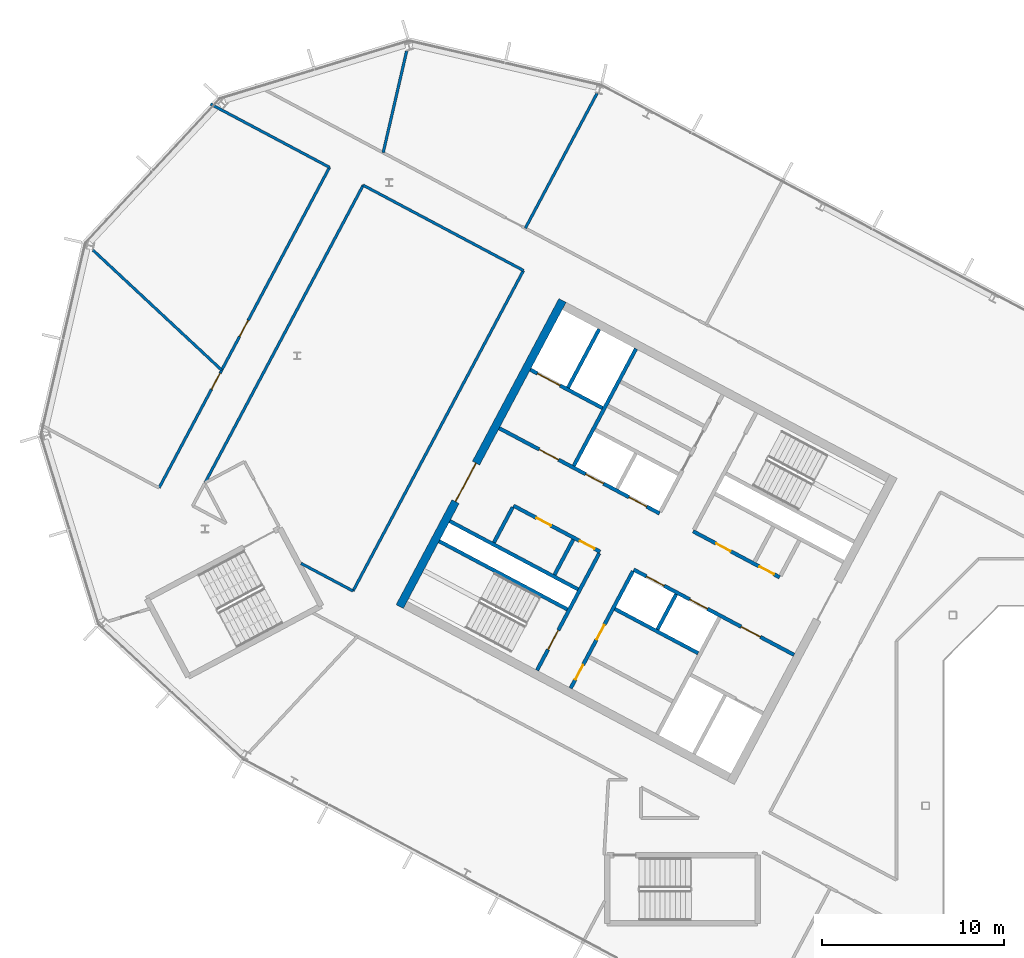
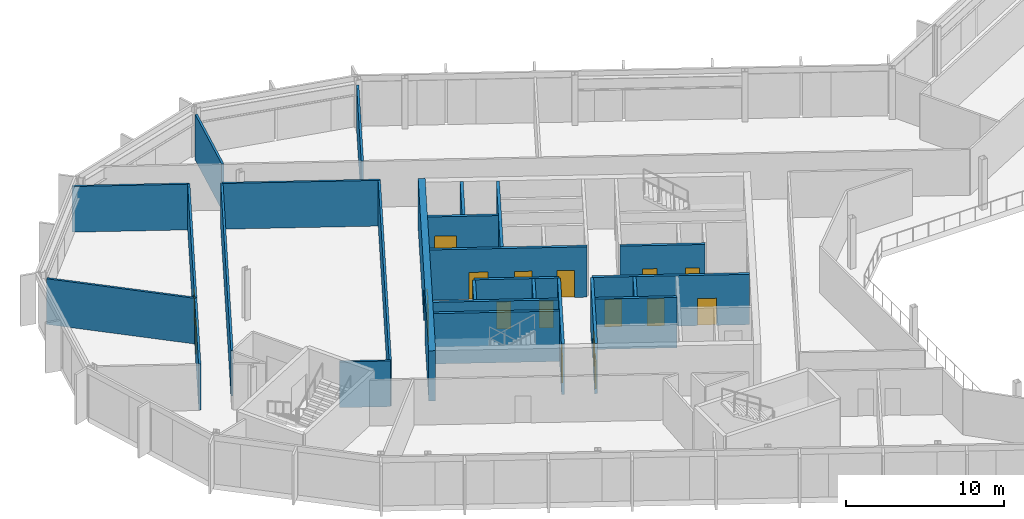
# One storey, part 14 of 26: 25 walls, 17 doors, 17 openings.
"""IFC4 building model written with IfcOpenShell, lengths in metres."""

import ifcopenshell
import ifcopenshell.guid

model = None  # the IFC model being written
_history = None  # IfcOwnerHistory: only IFC2X3 demands one
_inside = {}  # id of a spatial element -> (the spatial element, [elements in it])
_under = {}  # id of a project, library or spatial element -> (it, [spatial elements below it])
_declared = {}  # id of a project -> (the project, [libraries it declares])
_typed = {}  # id of a type object -> (the type object, [elements of that type])
_made_of = {}  # id of a material, layer set ... -> (it, [elements and type objects made of it])


def new_model(schema):
    """Start an empty IFC model of exactly this schema.

    Asked for "IFC4X3", IfcOpenShell would pick the latest addendum, in which some entities
    have other attributes; the version numbers below select the first issue.
    IFC2X3 requires an IfcOwnerHistory on every rooted entity: one is made here for all.
    """
    global model, _history
    if schema == "IFC4X3":
        model = ifcopenshell.file(schema_version=(4, 3, 0, 0))
    else:
        model = ifcopenshell.file(schema=schema)
    _inside.clear()
    _under.clear()
    _declared.clear()
    _typed.clear()
    _made_of.clear()
    _history = None
    if model.schema == "IFC2X3":
        org = make("IfcOrganization", Name="unknown")
        user = make(
            "IfcPersonAndOrganization",
            ThePerson=make("IfcPerson", FamilyName="unknown"),
            TheOrganization=org,
        )
        app = make(
            "IfcApplication",
            ApplicationDeveloper=org,
            Version="unknown",
            ApplicationFullName="unknown",
            ApplicationIdentifier="unknown",
        )
        _history = make(
            "IfcOwnerHistory",
            OwningUser=user,
            OwningApplication=app,
            ChangeAction="ADDED",
            CreationDate=0,
        )
    return model


def make(cls, **values):
    """One entity of the class cls with the attributes given. An attribute that is None is left unset."""
    return model.create_entity(
        cls, **{name: value for name, value in values.items() if value is not None}
    )


def rooted(cls, **values):
    """An entity with a GlobalId (a new one), such as an element, a storey or a relation."""
    return make(cls, GlobalId=ifcopenshell.guid.new(), OwnerHistory=_history, **values)


def si_unit(unit_type, name, prefix=None):
    """IfcSIUnit, for example si_unit("LENGTHUNIT", "METRE", prefix="MILLI")."""
    return make("IfcSIUnit", UnitType=unit_type, Prefix=prefix, Name=name)


def assignment(units):
    """IfcUnitAssignment: the units of a project."""
    return None if units is None else make("IfcUnitAssignment", Units=units)


def point(xyz):
    """IfcCartesianPoint."""
    return None if xyz is None else make("IfcCartesianPoint", Coordinates=xyz)


def direction(xyz):
    """IfcDirection."""
    return None if xyz is None else make("IfcDirection", DirectionRatios=xyz)


def frame(location, z_axis=None, x_axis=None):
    """IfcAxis2Placement3D, a coordinate frame: its origin and axes. An axis left out is left unset."""
    return make(
        "IfcAxis2Placement3D",
        Location=point(location),
        Axis=direction(z_axis),
        RefDirection=direction(x_axis),
    )


def frame_2d(location, x_axis=None):
    """IfcAxis2Placement2D, a coordinate frame in the plane: its origin and x axis."""
    return make(
        "IfcAxis2Placement2D", Location=point(location), RefDirection=direction(x_axis)
    )


def origin():
    """The frame at (0, 0, 0) with its axes left unset."""
    return frame((0.0, 0.0, 0.0))


def place(relative_to, where):
    """IfcLocalPlacement: puts the frame where relative to a parent placement (None: the world)."""
    return make(
        "IfcLocalPlacement", PlacementRelTo=relative_to, RelativePlacement=where
    )


def context(
    kind, dimensions, precision=None, world=None, true_north=None, identifier=None
):
    """IfcGeometricRepresentationContext, for example the 3D "Model" context."""
    return make(
        "IfcGeometricRepresentationContext",
        ContextIdentifier=identifier,
        ContextType=kind,
        CoordinateSpaceDimension=dimensions,
        Precision=precision,
        WorldCoordinateSystem=world,
        TrueNorth=true_north,
    )


def subcontext(parent, identifier, kind, view, scale=None):
    """IfcGeometricRepresentationSubContext, for example "Body" below "Model"."""
    return make(
        "IfcGeometricRepresentationSubContext",
        ContextIdentifier=identifier,
        ContextType=kind,
        ParentContext=parent,
        TargetScale=scale,
        TargetView=view,
    )


def project(units=None, contexts=None):
    """IfcProject with its units and contexts."""
    return rooted(
        "IfcProject",
        Name="project",
        RepresentationContexts=contexts,
        UnitsInContext=assignment(units),
    )


def spatial(cls, under=None, at=None, **own):
    """A site, building, storey or space (cls), placed at a placement, below another one or the project."""
    s = rooted(cls, ObjectPlacement=at, **own)
    if under is not None:
        _under.setdefault(under.id(), (under, []))[1].append(s)
    return s


def profile(cls, at=None, kind="AREA", **sizes):
    """A parametric profile (cls). Its sizes go by their IFC names, for example OverallWidth=200.0."""
    return make(cls, ProfileType=kind, Position=at, **sizes)


def rectangle(**sizes):
    """IfcRectangleProfileDef."""
    return profile("IfcRectangleProfileDef", **sizes)


def extrude(swept, where, along, depth):
    """IfcExtrudedAreaSolid: the profile swept, set in the frame where, extruded along a direction by depth."""
    return make(
        "IfcExtrudedAreaSolid",
        SweptArea=swept,
        Position=where,
        ExtrudedDirection=direction(along),
        Depth=depth,
    )


def shape(context_of_items, identifier, shape_type, items):
    """IfcShapeRepresentation: the items that make up one representation, for example the "Body"."""
    return make(
        "IfcShapeRepresentation",
        ContextOfItems=context_of_items,
        RepresentationIdentifier=identifier,
        RepresentationType=shape_type,
        Items=items,
    )


def material(Name=None, Category=None):
    """IfcMaterial."""
    return make("IfcMaterial", Name=Name, Category=Category)


def layer(
    of_material, thickness, ventilated=None, Name=None, Category=None, Priority=None
):
    """IfcMaterialLayer: one layer of a wall or slab, of a material (None: an air gap)."""
    return make(
        "IfcMaterialLayer",
        Material=of_material,
        LayerThickness=thickness,
        IsVentilated=ventilated,
        Name=Name,
        Category=Category,
        Priority=Priority,
    )


def layer_set(layers, Name=None):
    """IfcMaterialLayerSet."""
    return make("IfcMaterialLayerSet", MaterialLayers=layers, LayerSetName=Name)


def made_of(thing, what):
    """Note that an element or type object is made of a material, layer set ...; save() writes the relation."""
    if what is not None:
        _made_of.setdefault(what.id(), (what, []))[1].append(thing)
    return thing


def type_object(cls, material=None, **own):
    """A type object (cls), such as IfcWallType, which elements share."""
    return made_of(rooted(cls, **own), material)


def element(
    cls,
    number,
    at=None,
    inside=None,
    cuts=None,
    type_object=None,
    material=None,
    context=None,
    identifier="Body",
    shape_type=None,
    held_by="IfcProductDefinitionShape",
    body=None,
    shapes=None,
    **own,
):
    """One element of the class cls, such as IfcWall. Its Tag is "e" and its number.

    at: its placement. inside: the storey or other place that contains it. cuts: it is an
    opening in that element (IfcRelVoidsElement). A single representation is given by context,
    identifier, shape_type and body (its items); several are given by shapes. held_by: the class
    of the entity that holds the representations. save() writes the other relations.
    """
    e = rooted(cls, Tag="e%d" % number, ObjectPlacement=at, **own)
    if body is not None:
        shapes = [shape(context, identifier, shape_type, body)]
    if shapes is not None:
        e.Representation = make(held_by, Representations=shapes)
    if inside is not None:
        _inside.setdefault(inside.id(), (inside, []))[1].append(e)
    if cuts is not None:
        rooted(
            "IfcRelVoidsElement", RelatingBuildingElement=cuts, RelatedOpeningElement=e
        )
    if type_object is not None:
        _typed.setdefault(type_object.id(), (type_object, []))[1].append(e)
    return made_of(e, material)


def fill(opening, filler):
    """IfcRelFillsElement: the door or window that sits in an opening."""
    return rooted(
        "IfcRelFillsElement",
        RelatingOpeningElement=opening,
        RelatedBuildingElement=filler,
    )


def aggregate(whole, parts):
    """IfcRelAggregates: a whole, such as a stair, and the parts it consists of."""
    return rooted("IfcRelAggregates", RelatingObject=whole, RelatedObjects=parts)


def save(model, path):
    """Write the relations noted so far, then the file.

    IfcRelAggregates (storeys below a building ...), IfcRelContainedInSpatialStructure (elements
    in a storey), IfcRelDefinesByType, IfcRelAssociatesMaterial and IfcRelDeclares: one each for
    every whole, place, type object, material and project.
    """
    for whole, parts in _under.values():
        aggregate(whole, parts)
    for where, things in _inside.values():
        rooted(
            "IfcRelContainedInSpatialStructure",
            RelatedElements=things,
            RelatingStructure=where,
        )
    for kind, things in _typed.values():
        rooted("IfcRelDefinesByType", RelatedObjects=things, RelatingType=kind)
    for what, things in _made_of.values():
        rooted("IfcRelAssociatesMaterial", RelatedObjects=things, RelatingMaterial=what)
    for by, libraries in _declared.values():
        rooted("IfcRelDeclares", RelatingContext=by, RelatedDefinitions=libraries)
    model.write(path)


model = new_model("IFC4")

# Units and contexts
model_context = context("Model", 3, precision=1e-05, world=origin(), true_north=direction((0.0, 1.0)))
body_context = subcontext(model_context, "Body", "Model", "MODEL_VIEW")
ifc_project = project(units=[si_unit("LENGTHUNIT", "METRE"), si_unit("AREAUNIT", "SQUARE_METRE"), si_unit("VOLUMEUNIT", "CUBIC_METRE"), si_unit("PLANEANGLEUNIT", "RADIAN"), si_unit("MASSUNIT", "GRAM", prefix="KILO")], contexts=[model_context])

# Site, building, storey
site_placement = place(None, origin())
site = spatial("IfcSite", under=ifc_project, at=site_placement, CompositionType="ELEMENT")
building_placement = place(site_placement, origin())
building = spatial("IfcBuilding", under=site, at=building_placement, Name="Cormorant Relay Tower", CompositionType="ELEMENT")
storey_placement = place(building_placement, frame((0.0, 0.0, 320.39990234375)))
storey = spatial("IfcBuildingStorey", under=building, at=storey_placement, Name="L73", CompositionType="ELEMENT", Elevation=320.39990234375)

# Walls
ifc_material_1 = material(Name="Concrete 40 MPa", Category="concrete")
ifc_layer_1 = layer(ifc_material_1, 0.199951171875)
ifc_layer_set_1 = layer_set([ifc_layer_1], Name="Core internal wall 200")
wall_type_1 = type_object("IfcWallType", Name="Core internal wall 200", PredefinedType="SOLIDWALL", material=ifc_layer_set_1)
wall_1_placement = place(storey_placement, frame((-25.744140625, 11.64990234375, 0.0), z_axis=(0.0, 0.0, 1.0), x_axis=(-0.469487830541, -0.882938942948, 0.0)))
element("IfcWall", 1, at=wall_1_placement, inside=storey, type_object=wall_type_1, Name="L73 core A shaft and room wall", PredefinedType="SOLIDWALL", context=body_context, shape_type="SweptSolid", body=[
    extrude(rectangle(XDim=2.2001953125, YDim=0.199951171875, at=frame_2d((1.10009765625, 0.0))), origin(), (0.0, 0.0, 1.0), 3.900146484375),
])
wall_2_placement = place(storey_placement, frame((-31.41259765625, 14.663818359375, 0.0), z_axis=(0.0, 0.0, 1.0), x_axis=(-0.469533832133, -0.882914480843, 0.0)))
element("IfcWall", 2, at=wall_2_placement, inside=storey, type_object=wall_type_1, Name="L73 core A shaft and room wall", PredefinedType="SOLIDWALL", context=body_context, shape_type="SweptSolid", body=[
    extrude(rectangle(XDim=2.199951171875, YDim=0.199951171875, at=frame_2d((1.10009765625, 0.0))), origin(), (0.0, 0.0, 1.0), 3.900146484375),
])

# Wall, openings, doors
ifc_material_2 = material(Name="Concrete 50 MPa", Category="concrete")
ifc_layer_2 = layer(ifc_material_2, 0.199951171875)
ifc_layer_set_2 = layer_set([ifc_layer_2], Name="Core shaft wall 200")
wall_type_2 = type_object("IfcWallType", Name="Core shaft wall 200", PredefinedType="SHEAR", material=ifc_layer_set_2)
wall_3_placement = place(storey_placement, frame((-28.128173828125, 12.91748046875, 0.0), z_axis=(0.0, 0.0, 1.0), x_axis=(-0.469454336211, -0.882956752176, 0.0)))
wall_3 = element("IfcWall", 3, at=wall_3_placement, inside=storey, type_object=wall_type_2, Name="L73 core A shaft wall", PredefinedType="SHEAR", context=body_context, shape_type="SweptSolid", body=[
    extrude(rectangle(XDim=7.300048828125, YDim=0.199951171875, at=frame_2d((3.64990234375, 0.0))), origin(), (0.0, 0.0, 1.0), 3.900146484375),
])
opening_1_placement = place(wall_3_placement, frame((3.35009765625, 0.0, 0.0)))
opening_1 = element("IfcOpeningElement", 4, at=opening_1_placement, cuts=wall_3, Name="Opening CDD-350", PredefinedType="OPENING", context=body_context, shape_type="SweptSolid", body=[
    extrude(rectangle(XDim=0.89990234375, YDim=2.10009765625, at=frame_2d((0.449951171875, 1.050048828125))), frame((0.0, 0.10986328125, 0.0), z_axis=(0.0, -1.0, 0.0), x_axis=(1.0, 0.0, 0.0)), (0.0, 0.0, 1.0), 0.219970703125),
])
opening_2_placement = place(wall_3_placement, frame((5.85009765625, 0.0, 0.0)))
opening_2 = element("IfcOpeningElement", 5, at=opening_2_placement, cuts=wall_3, Name="Opening CDD-351", PredefinedType="OPENING", context=body_context, shape_type="SweptSolid", body=[
    extrude(rectangle(XDim=0.89990234375, YDim=2.10009765625, at=frame_2d((0.449951171875, 1.050048828125))), frame((0.0, 0.10986328125, 0.0), z_axis=(0.0, -1.0, 0.0), x_axis=(1.0, 0.0, 0.0)), (0.0, 0.0, 1.0), 0.219970703125),
])
ifc_material_3 = material(Name="Steel fire door", Category="steel")
door_type_1 = type_object("IfcDoorType", Name="Core room door 900x2100", OperationType="SINGLE_SWING_LEFT", PredefinedType="DOOR", material=ifc_material_3)
door_1_placement = place(opening_1_placement, origin())
door_1 = element("IfcDoor", 6, at=door_1_placement, inside=storey, type_object=door_type_1, Name="Core room door 900x2100", OperationType="SINGLE_SWING_LEFT", OverallHeight=2.10009765625, OverallWidth=0.89990234375, PredefinedType="DOOR", context=body_context, shape_type="SweptSolid", body=[
    extrude(rectangle(XDim=0.89990234375, YDim=2.10009765625, at=frame_2d((0.449951171875, 1.050048828125))), frame((0.0, 0.02490234375, 0.0), z_axis=(0.0, -1.0, 0.0), x_axis=(1.0, 0.0, 0.0)), (0.0, 0.0, 1.0), 0.050048828125),
])
fill(opening_1, door_1)
door_2_placement = place(opening_2_placement, origin())
door_2 = element("IfcDoor", 7, at=door_2_placement, inside=storey, type_object=door_type_1, Name="Core room door 900x2100", OperationType="SINGLE_SWING_LEFT", OverallHeight=2.10009765625, OverallWidth=0.89990234375, PredefinedType="DOOR", context=body_context, shape_type="SweptSolid", body=[
    extrude(rectangle(XDim=0.89990234375, YDim=2.10009765625, at=frame_2d((0.449951171875, 1.050048828125))), frame((0.0, 0.02490234375, 0.0), z_axis=(0.0, -1.0, 0.0), x_axis=(1.0, 0.0, 0.0)), (0.0, 0.0, 1.0), 0.050048828125),
])
fill(opening_2, door_2)

# Wall, opening, door
wall_4_placement = place(storey_placement, frame((-29.982421875, 13.9033203125, 0.0), z_axis=(0.0, 0.0, 1.0), x_axis=(-0.469454336211, -0.882956752176, 0.0)))
wall_4 = element("IfcWall", 8, at=wall_4_placement, inside=storey, type_object=wall_type_2, Name="L73 core A shaft wall", PredefinedType="SHEAR", context=body_context, shape_type="SweptSolid", body=[
    extrude(rectangle(XDim=7.300048828125, YDim=0.199951171875, at=frame_2d((3.64990234375, 0.0))), origin(), (0.0, 0.0, 1.0), 3.900146484375),
])
opening_3_placement = place(wall_4_placement, frame((4.800048828125, 0.0, 0.0)))
opening_3 = element("IfcOpeningElement", 9, at=opening_3_placement, cuts=wall_4, Name="Opening CDB-039", PredefinedType="OPENING", context=body_context, shape_type="SweptSolid", body=[
    extrude(rectangle(XDim=1.199951171875, YDim=2.10009765625, at=frame_2d((0.60009765625, 1.050048828125))), frame((0.0, 0.10986328125, 0.0), z_axis=(0.0, -1.0, 0.0), x_axis=(1.0, 0.0, 0.0)), (0.0, 0.0, 1.0), 0.219970703125),
])
ifc_material_4 = material(Name="Steel fire door", Category="steel")
door_type_2 = type_object("IfcDoorType", Name="Core stair door 1200x2100", OperationType="SINGLE_SWING_LEFT", PredefinedType="DOOR", material=ifc_material_4)
door_3_placement = place(opening_3_placement, frame((1.199951171875, 0.0, 0.0), z_axis=(0.0, 0.0, 1.0), x_axis=(-1.0, 0.0, 0.0)))
door_3 = element("IfcDoor", 10, at=door_3_placement, inside=storey, type_object=door_type_2, Name="Core stair door 1200x2100", OperationType="SINGLE_SWING_RIGHT", OverallHeight=2.10009765625, OverallWidth=1.199951171875, PredefinedType="DOOR", context=body_context, shape_type="SweptSolid", body=[
    extrude(rectangle(XDim=1.199951171875, YDim=2.10009765625, at=frame_2d((0.60009765625, 1.050048828125))), frame((0.0, 0.02490234375, 0.0), z_axis=(0.0, -1.0, 0.0), x_axis=(1.0, 0.0, 0.0)), (0.0, 0.0, 1.0), 0.050048828125),
])
fill(opening_3, door_3)

# Walls
wall_5_placement = place(storey_placement, frame((-27.955322265625, 25.170654296875, 0.0), z_axis=(0.0, 0.0, 1.0), x_axis=(-0.469480409012, -0.88294288918, 0.0)))
element("IfcWall", 11, at=wall_5_placement, inside=storey, type_object=wall_type_2, Name="L73 core A shaft wall", PredefinedType="SHEAR", context=body_context, shape_type="SweptSolid", body=[
    extrude(rectangle(XDim=7.300048828125, YDim=0.199951171875, at=frame_2d((3.64990234375, 0.0))), origin(), (0.0, 0.0, 1.0), 3.900146484375),
])
wall_6_placement = place(storey_placement, frame((-34.750244140625, 16.4384765625, 0.0), z_axis=(0.0, 0.0, 1.0), x_axis=(-0.469401318492, -0.882984938828, 0.0)))
element("IfcWall", 12, at=wall_6_placement, inside=storey, type_object=wall_type_2, Name="L73 core A shaft wall", PredefinedType="SHEAR", context=body_context, shape_type="SweptSolid", body=[
    extrude(rectangle(XDim=2.199951171875, YDim=0.199951171875, at=frame_2d((1.10009765625, 0.0))), origin(), (0.0, 0.0, 1.0), 3.900146484375),
])
wall_7_placement = place(storey_placement, frame((-29.986083984375, 26.250244140625, 0.0), z_axis=(0.0, 0.0, 1.0), x_axis=(-0.469494272526, -0.882935517501, 0.0)))
element("IfcWall", 13, at=wall_7_placement, inside=storey, type_object=wall_type_2, Name="L73 core A shaft wall", PredefinedType="SHEAR", context=body_context, shape_type="SweptSolid", body=[
    extrude(rectangle(XDim=3.64990234375, YDim=0.199951171875, at=frame_2d((1.824951171875, 0.0))), origin(), (0.0, 0.0, 1.0), 3.900146484375),
])

# Wall, opening, door
wall_8_placement = place(storey_placement, frame((-29.80419921875, 21.906494140625, 0.0), z_axis=(0.0, 0.0, 1.0), x_axis=(-0.882960433586, 0.469447412093, 0.0)))
wall_8 = element("IfcWall", 14, at=wall_8_placement, inside=storey, type_object=wall_type_2, Name="L73 core A shaft wall", PredefinedType="SHEAR", context=body_context, shape_type="SweptSolid", body=[
    extrude(rectangle(XDim=4.5, YDim=0.199951171875, at=frame_2d((2.25, 0.0))), origin(), (0.0, 0.0, 1.0), 3.900146484375),
])
opening_4_placement = place(wall_8_placement, frame((2.64990234375, 0.0, 0.0)))
opening_4 = element("IfcOpeningElement", 15, at=opening_4_placement, cuts=wall_8, Name="Opening LD3-015", PredefinedType="OPENING", context=body_context, shape_type="SweptSolid", body=[
    extrude(rectangle(XDim=1.39990234375, YDim=2.39990234375, at=frame_2d((0.699951171875, 1.199951171875))), frame((0.0, 0.10986328125, 0.0), z_axis=(0.0, -1.0, 0.0), x_axis=(1.0, 0.0, 0.0)), (0.0, 0.0, 1.0), 0.219970703125),
])
ifc_material_5 = material(Name="Stainless steel 316", Category="steel")
door_type_3 = type_object("IfcDoorType", Name="Lift landing door 1400x2400", OperationType="DOUBLE_DOOR_SLIDING", PredefinedType="DOOR", material=ifc_material_5)
door_4_placement = place(opening_4_placement, origin())
door_4 = element("IfcDoor", 16, at=door_4_placement, inside=storey, type_object=door_type_3, Name="SV1 landing door", OperationType="DOUBLE_DOOR_SLIDING", OverallHeight=2.39990234375, OverallWidth=1.39990234375, PredefinedType="DOOR", context=body_context, shape_type="SweptSolid", body=[
    extrude(rectangle(XDim=1.39990234375, YDim=2.39990234375, at=frame_2d((0.699951171875, 1.199951171875))), frame((0.0, 0.02490234375, 0.0), z_axis=(0.0, -1.0, 0.0), x_axis=(1.0, 0.0, 0.0)), (0.0, 0.0, 1.0), 0.050048828125),
])
fill(opening_4, door_4)

# Wall, openings, doors
wall_9_placement = place(storey_placement, frame((-20.03955078125, 12.58056640625, 0.0), z_axis=(0.0, 0.0, 1.0), x_axis=(-0.882942972946, 0.469480251476, 0.0)))
wall_9 = element("IfcWall", 17, at=wall_9_placement, inside=storey, type_object=wall_type_2, Name="L73 core A shaft wall", PredefinedType="SHEAR", context=body_context, shape_type="SweptSolid", body=[
    extrude(rectangle(XDim=5.39990234375, YDim=0.199951171875, at=frame_2d((2.699951171875, 0.0))), origin(), (0.0, 0.0, 1.0), 3.900146484375),
])
opening_5_placement = place(wall_9_placement, frame((0.360107421875, 0.0, 0.0)))
opening_5 = element("IfcOpeningElement", 18, at=opening_5_placement, cuts=wall_9, Name="Opening CDD-337", PredefinedType="OPENING", context=body_context, shape_type="SweptSolid", body=[
    extrude(rectangle(XDim=0.89990234375, YDim=2.10009765625, at=frame_2d((0.449951171875, 1.050048828125))), frame((0.0, 0.10986328125, 0.0), z_axis=(0.0, -1.0, 0.0), x_axis=(1.0, 0.0, 0.0)), (0.0, 0.0, 1.0), 0.219970703125),
])
opening_6_placement = place(wall_9_placement, frame((3.06005859375, 0.0, 0.0)))
opening_6 = element("IfcOpeningElement", 19, at=opening_6_placement, cuts=wall_9, Name="Opening CDD-323", PredefinedType="OPENING", context=body_context, shape_type="SweptSolid", body=[
    extrude(rectangle(XDim=0.89990234375, YDim=2.10009765625, at=frame_2d((0.449951171875, 1.050048828125))), frame((0.0, 0.10986328125, 0.0), z_axis=(0.0, -1.0, 0.0), x_axis=(1.0, 0.0, 0.0)), (0.0, 0.0, 1.0), 0.219970703125),
])
door_5_placement = place(opening_5_placement, frame((0.89990234375, 0.0, 0.0), z_axis=(0.0, 0.0, 1.0), x_axis=(-1.0, 0.0, 0.0)))
door_5 = element("IfcDoor", 20, at=door_5_placement, inside=storey, type_object=door_type_1, Name="Core room door 900x2100", OperationType="SINGLE_SWING_RIGHT", OverallHeight=2.10009765625, OverallWidth=0.89990234375, PredefinedType="DOOR", context=body_context, shape_type="SweptSolid", body=[
    extrude(rectangle(XDim=0.89990234375, YDim=2.10009765625, at=frame_2d((0.449951171875, 1.050048828125))), frame((0.0, 0.02490234375, 0.0), z_axis=(0.0, -1.0, 0.0), x_axis=(1.0, 0.0, 0.0)), (0.0, 0.0, 1.0), 0.050048828125),
])
fill(opening_5, door_5)
door_6_placement = place(opening_6_placement, origin())
door_6 = element("IfcDoor", 21, at=door_6_placement, inside=storey, type_object=door_type_1, Name="Core room door 900x2100", OperationType="SINGLE_SWING_LEFT", OverallHeight=2.10009765625, OverallWidth=0.89990234375, PredefinedType="DOOR", context=body_context, shape_type="SweptSolid", body=[
    extrude(rectangle(XDim=0.89990234375, YDim=2.10009765625, at=frame_2d((0.449951171875, 1.050048828125))), frame((0.0, 0.02490234375, 0.0), z_axis=(0.0, -1.0, 0.0), x_axis=(1.0, 0.0, 0.0)), (0.0, 0.0, 1.0), 0.050048828125),
])
fill(opening_6, door_6)

wall_10_placement = place(storey_placement, frame((-26.66162109375, 16.1015625, 0.0), z_axis=(0.0, 0.0, 1.0), x_axis=(-0.882940221191, 0.469485426614, 0.0)))
wall_10 = element("IfcWall", 22, at=wall_10_placement, inside=storey, type_object=wall_type_2, Name="L73 core A shaft wall", PredefinedType="SHEAR", context=body_context, shape_type="SweptSolid", body=[
    extrude(rectangle(XDim=10.0, YDim=0.199951171875, at=frame_2d((5.0, 0.0))), origin(), (0.0, 0.0, 1.0), 3.900146484375),
])
opening_7_placement = place(wall_10_placement, frame((6.300048828125, 0.0, 0.0)))
opening_7 = element("IfcOpeningElement", 23, at=opening_7_placement, cuts=wall_10, Name="Opening CDC-034", PredefinedType="OPENING", context=body_context, shape_type="SweptSolid", body=[
    extrude(rectangle(XDim=1.199951171875, YDim=2.10009765625, at=frame_2d((0.60009765625, 1.050048828125))), frame((0.0, 0.10986328125, 0.0), z_axis=(0.0, -1.0, 0.0), x_axis=(1.0, 0.0, 0.0)), (0.0, 0.0, 1.0), 0.219970703125),
])
opening_8_placement = place(wall_10_placement, frame((0.800048828125, 0.0, 0.0)))
opening_8 = element("IfcOpeningElement", 24, at=opening_8_placement, cuts=wall_10, Name="Opening LD1-067", PredefinedType="OPENING", context=body_context, shape_type="SweptSolid", body=[
    extrude(rectangle(XDim=1.10009765625, YDim=2.10009765625, at=frame_2d((0.550048828125, 1.050048828125))), frame((0.0, 0.10986328125, 0.0), z_axis=(0.0, -1.0, 0.0), x_axis=(1.0, 0.0, 0.0)), (0.0, 0.0, 1.0), 0.219970703125),
])
opening_9_placement = place(wall_10_placement, frame((3.5, 0.0, 0.0)))
opening_9 = element("IfcOpeningElement", 25, at=opening_9_placement, cuts=wall_10, Name="Opening LD1-068", PredefinedType="OPENING", context=body_context, shape_type="SweptSolid", body=[
    extrude(rectangle(XDim=1.10009765625, YDim=2.10009765625, at=frame_2d((0.550048828125, 1.050048828125))), frame((0.0, 0.10986328125, 0.0), z_axis=(0.0, -1.0, 0.0), x_axis=(1.0, 0.0, 0.0)), (0.0, 0.0, 1.0), 0.219970703125),
])
ifc_material_6 = material(Name="Steel fire door", Category="steel")
door_type_4 = type_object("IfcDoorType", Name="Core lobby door 1200x2100", OperationType="SINGLE_SWING_LEFT", PredefinedType="DOOR", material=ifc_material_6)
door_7_placement = place(opening_7_placement, origin())
door_7 = element("IfcDoor", 26, at=door_7_placement, inside=storey, type_object=door_type_4, Name="Core lobby door 1200x2100", OperationType="SINGLE_SWING_LEFT", OverallHeight=2.10009765625, OverallWidth=1.199951171875, PredefinedType="DOOR", context=body_context, shape_type="SweptSolid", body=[
    extrude(rectangle(XDim=1.199951171875, YDim=2.10009765625, at=frame_2d((0.60009765625, 1.050048828125))), frame((0.0, 0.02490234375, 0.0), z_axis=(0.0, -1.0, 0.0), x_axis=(1.0, 0.0, 0.0)), (0.0, 0.0, 1.0), 0.050048828125),
])
fill(opening_7, door_7)
ifc_material_7 = material(Name="Stainless steel 316", Category="steel")
door_type_5 = type_object("IfcDoorType", Name="Lift landing door 1100x2100", OperationType="DOUBLE_DOOR_SLIDING", PredefinedType="DOOR", material=ifc_material_7)
door_8_placement = place(opening_8_placement, origin())
door_8 = element("IfcDoor", 27, at=door_8_placement, inside=storey, type_object=door_type_5, Name="HR3 landing door", OperationType="DOUBLE_DOOR_SLIDING", OverallHeight=2.10009765625, OverallWidth=1.10009765625, PredefinedType="DOOR", context=body_context, shape_type="SweptSolid", body=[
    extrude(rectangle(XDim=1.10009765625, YDim=2.10009765625, at=frame_2d((0.550048828125, 1.050048828125))), frame((0.0, 0.02490234375, 0.0), z_axis=(0.0, -1.0, 0.0), x_axis=(1.0, 0.0, 0.0)), (0.0, 0.0, 1.0), 0.050048828125),
])
fill(opening_8, door_8)
door_9_placement = place(opening_9_placement, origin())
door_9 = element("IfcDoor", 28, at=door_9_placement, inside=storey, type_object=door_type_5, Name="HR4 landing door", OperationType="DOUBLE_DOOR_SLIDING", OverallHeight=2.10009765625, OverallWidth=1.10009765625, PredefinedType="DOOR", context=body_context, shape_type="SweptSolid", body=[
    extrude(rectangle(XDim=1.10009765625, YDim=2.10009765625, at=frame_2d((0.550048828125, 1.050048828125))), frame((0.0, 0.02490234375, 0.0), z_axis=(0.0, -1.0, 0.0), x_axis=(1.0, 0.0, 0.0)), (0.0, 0.0, 1.0), 0.050048828125),
])
fill(opening_9, door_9)

wall_11_placement = place(storey_placement, frame((-19.251708984375, 8.31103515625, 0.0), z_axis=(0.0, 0.0, 1.0), x_axis=(-0.882955722218, 0.469456273365, 0.0)))
wall_11 = element("IfcWall", 29, at=wall_11_placement, inside=storey, type_object=wall_type_2, Name="L73 core A shaft wall", PredefinedType="SHEAR", context=body_context, shape_type="SweptSolid", body=[
    extrude(rectangle(XDim=10.0, YDim=0.199951171875, at=frame_2d((5.0, 0.0))), origin(), (0.0, 0.0, 1.0), 3.900146484375),
])
opening_10_placement = place(wall_11_placement, frame((2.10009765625, 0.0, 0.0)))
opening_10 = element("IfcOpeningElement", 30, at=opening_10_placement, cuts=wall_11, Name="Opening CDC-033", PredefinedType="OPENING", context=body_context, shape_type="SweptSolid", body=[
    extrude(rectangle(XDim=1.199951171875, YDim=2.10009765625, at=frame_2d((0.60009765625, 1.050048828125))), frame((0.0, 0.10986328125, 0.0), z_axis=(0.0, -1.0, 0.0), x_axis=(1.0, 0.0, 0.0)), (0.0, 0.0, 1.0), 0.219970703125),
])
opening_11_placement = place(wall_11_placement, frame((5.39990234375, 0.0, 0.0)))
opening_11 = element("IfcOpeningElement", 31, at=opening_11_placement, cuts=wall_11, Name="Opening LD1-065", PredefinedType="OPENING", context=body_context, shape_type="SweptSolid", body=[
    extrude(rectangle(XDim=1.10009765625, YDim=2.10009765625, at=frame_2d((0.550048828125, 1.050048828125))), frame((0.0, 0.10986328125, 0.0), z_axis=(0.0, -1.0, 0.0), x_axis=(1.0, 0.0, 0.0)), (0.0, 0.0, 1.0), 0.219970703125),
])
opening_12_placement = place(wall_11_placement, frame((8.10009765625, 0.0, 0.0)))
opening_12 = element("IfcOpeningElement", 32, at=opening_12_placement, cuts=wall_11, Name="Opening LD1-066", PredefinedType="OPENING", context=body_context, shape_type="SweptSolid", body=[
    extrude(rectangle(XDim=1.10009765625, YDim=2.10009765625, at=frame_2d((0.550048828125, 1.050048828125))), frame((0.0, 0.10986328125, 0.0), z_axis=(0.0, -1.0, 0.0), x_axis=(1.0, 0.0, 0.0)), (0.0, 0.0, 1.0), 0.219970703125),
])
door_10_placement = place(opening_10_placement, origin())
door_10 = element("IfcDoor", 33, at=door_10_placement, inside=storey, type_object=door_type_4, Name="Core lobby door 1200x2100", OperationType="SINGLE_SWING_RIGHT", OverallHeight=2.10009765625, OverallWidth=1.199951171875, PredefinedType="DOOR", context=body_context, shape_type="SweptSolid", body=[
    extrude(rectangle(XDim=1.199951171875, YDim=2.10009765625, at=frame_2d((0.60009765625, 1.050048828125))), frame((0.0, 0.02490234375, 0.0), z_axis=(0.0, -1.0, 0.0), x_axis=(1.0, 0.0, 0.0)), (0.0, 0.0, 1.0), 0.050048828125),
])
fill(opening_10, door_10)
door_11_placement = place(opening_11_placement, origin())
door_11 = element("IfcDoor", 34, at=door_11_placement, inside=storey, type_object=door_type_5, Name="HR1 landing door", OperationType="DOUBLE_DOOR_SLIDING", OverallHeight=2.10009765625, OverallWidth=1.10009765625, PredefinedType="DOOR", context=body_context, shape_type="SweptSolid", body=[
    extrude(rectangle(XDim=1.10009765625, YDim=2.10009765625, at=frame_2d((0.550048828125, 1.050048828125))), frame((0.0, 0.02490234375, 0.0), z_axis=(0.0, -1.0, 0.0), x_axis=(1.0, 0.0, 0.0)), (0.0, 0.0, 1.0), 0.050048828125),
])
fill(opening_11, door_11)
door_12_placement = place(opening_12_placement, origin())
door_12 = element("IfcDoor", 35, at=door_12_placement, inside=storey, type_object=door_type_5, Name="HR2 landing door", OperationType="DOUBLE_DOOR_SLIDING", OverallHeight=2.10009765625, OverallWidth=1.10009765625, PredefinedType="DOOR", context=body_context, shape_type="SweptSolid", body=[
    extrude(rectangle(XDim=1.10009765625, YDim=2.10009765625, at=frame_2d((0.550048828125, 1.050048828125))), frame((0.0, 0.02490234375, 0.0), z_axis=(0.0, -1.0, 0.0), x_axis=(1.0, 0.0, 0.0)), (0.0, 0.0, 1.0), 0.050048828125),
])
fill(opening_12, door_12)

wall_12_placement = place(storey_placement, frame((-29.935302734375, 13.991455078125, 0.0), z_axis=(0.0, 0.0, 1.0), x_axis=(-0.882952937579, 0.469461510692, 0.0)))
wall_12 = element("IfcWall", 36, at=wall_12_placement, inside=storey, type_object=wall_type_2, Name="L73 core A shaft wall", PredefinedType="SHEAR", context=body_context, shape_type="SweptSolid", body=[
    extrude(rectangle(XDim=5.400146484375, YDim=0.199951171875, at=frame_2d((2.7001953125, 0.0))), origin(), (0.0, 0.0, 1.0), 3.900146484375),
])
opening_13_placement = place(wall_12_placement, frame((0.360107421875, 0.0, 0.0)))
opening_13 = element("IfcOpeningElement", 37, at=opening_13_placement, cuts=wall_12, Name="Opening CDD-320", PredefinedType="OPENING", context=body_context, shape_type="SweptSolid", body=[
    extrude(rectangle(XDim=0.89990234375, YDim=2.10009765625, at=frame_2d((0.449951171875, 1.050048828125))), frame((0.0, 0.10986328125, 0.0), z_axis=(0.0, -1.0, 0.0), x_axis=(1.0, 0.0, 0.0)), (0.0, 0.0, 1.0), 0.219970703125),
])
opening_14_placement = place(wall_12_placement, frame((3.06005859375, 0.0, 0.0)))
opening_14 = element("IfcOpeningElement", 38, at=opening_14_placement, cuts=wall_12, Name="Opening CDD-321", PredefinedType="OPENING", context=body_context, shape_type="SweptSolid", body=[
    extrude(rectangle(XDim=0.89990234375, YDim=2.10009765625, at=frame_2d((0.449951171875, 1.050048828125))), frame((0.0, 0.10986328125, 0.0), z_axis=(0.0, -1.0, 0.0), x_axis=(1.0, 0.0, 0.0)), (0.0, 0.0, 1.0), 0.219970703125),
])
door_13_placement = place(opening_13_placement, origin())
door_13 = element("IfcDoor", 39, at=door_13_placement, inside=storey, type_object=door_type_1, Name="Core room door 900x2100", OperationType="SINGLE_SWING_LEFT", OverallHeight=2.10009765625, OverallWidth=0.89990234375, PredefinedType="DOOR", context=body_context, shape_type="SweptSolid", body=[
    extrude(rectangle(XDim=0.89990234375, YDim=2.10009765625, at=frame_2d((0.449951171875, 1.050048828125))), frame((0.0, 0.02490234375, 0.0), z_axis=(0.0, -1.0, 0.0), x_axis=(1.0, 0.0, 0.0)), (0.0, 0.0, 1.0), 0.050048828125),
])
fill(opening_13, door_13)
door_14_placement = place(opening_14_placement, origin())
door_14 = element("IfcDoor", 40, at=door_14_placement, inside=storey, type_object=door_type_1, Name="Core room door 900x2100", OperationType="SINGLE_SWING_LEFT", OverallHeight=2.10009765625, OverallWidth=0.89990234375, PredefinedType="DOOR", context=body_context, shape_type="SweptSolid", body=[
    extrude(rectangle(XDim=0.89990234375, YDim=2.10009765625, at=frame_2d((0.449951171875, 1.050048828125))), frame((0.0, 0.02490234375, 0.0), z_axis=(0.0, -1.0, 0.0), x_axis=(1.0, 0.0, 0.0)), (0.0, 0.0, 1.0), 0.050048828125),
])
fill(opening_14, door_14)

# Walls
wall_13_placement = place(storey_placement, frame((-24.5283203125, 8.3984375, 0.0), z_axis=(0.0, 0.0, 1.0), x_axis=(-0.882953967957, 0.469459572775, 0.0)))
element("IfcWall", 41, at=wall_13_placement, inside=storey, type_object=wall_type_2, Name="L73 core A shaft wall", PredefinedType="SHEAR", context=body_context, shape_type="SweptSolid", body=[
    extrude(rectangle(XDim=5.199951171875, YDim=0.199951171875, at=frame_2d((2.60009765625, 0.0))), origin(), (0.0, 0.0, 1.0), 3.900146484375),
])
for number, where, z_axis, x_axis, name in (
    (42, (-31.150390625, 11.91943359375, 0.0), (0.0, 0.0, 1.0), (-0.882940221191, 0.469485426614, 0.0), "L73 core A shaft wall"),
    (43, (-31.7373046875, 10.815673828125, 0.0), (0.0, 0.0, 1.0), (-0.882940221191, 0.469485426614, 0.0), "L73 core A shaft wall"),
):
    element("IfcWall", number, at=place(storey_placement, frame(where, z_axis=z_axis, x_axis=x_axis)), inside=storey, type_object=wall_type_2, Name=name, PredefinedType="SHEAR", context=body_context, shape_type="SweptSolid", body=[
        extrude(rectangle(XDim=8.0, YDim=0.199951171875, at=frame_2d((4.0, 0.0))), origin(), (0.0, 0.0, 1.0), 3.900146484375),
    ])

# Wall, opening, door
ifc_material_8 = material(Name="Concrete 50 MPa", Category="concrete")
ifc_layer_3 = layer(ifc_material_8, 0.449951171875)
ifc_layer_set_3 = layer_set([ifc_layer_3], Name="Core wall 450")
wall_type_3 = type_object("IfcWallType", Name="Core wall 450", PredefinedType="SHEAR", material=ifc_layer_set_3)
wall_14_placement = place(storey_placement, frame((-32.00439453125, 27.8330078125, 0.0), z_axis=(0.0, 0.0, 1.0), x_axis=(-0.469467968382, -0.882949504028, 0.0)))
wall_14 = element("IfcWall", 44, at=wall_14_placement, inside=storey, type_object=wall_type_3, Name="L73 core A wall", PredefinedType="SHEAR", context=body_context, shape_type="SweptSolid", body=[
    extrude(rectangle(XDim=19.099853515625, YDim=0.449951171875, at=frame_2d((9.5498046875, 0.0))), origin(), (0.0, 0.0, 1.0), 3.900146484375),
])
opening_15_placement = place(wall_14_placement, frame((10.14990234375, 0.0, 0.0)))
opening_15 = element("IfcOpeningElement", 45, at=opening_15_placement, cuts=wall_14, Name="Opening CDA-051", PredefinedType="OPENING", context=body_context, shape_type="SweptSolid", body=[
    extrude(rectangle(XDim=2.39990234375, YDim=2.39990234375, at=frame_2d((1.199951171875, 1.199951171875))), frame((0.0, 0.23486328125, 0.0), z_axis=(0.0, -1.0, 0.0), x_axis=(1.0, 0.0, 0.0)), (0.0, 0.0, 1.0), 0.469970703125),
])
ifc_material_9 = material(Name="Steel fire door", Category="steel")
door_type_6 = type_object("IfcDoorType", Name="Core lobby door 2400x2400", OperationType="DOUBLE_DOOR_SINGLE_SWING", PredefinedType="DOOR", material=ifc_material_9)
door_15_placement = place(opening_15_placement, origin())
door_15 = element("IfcDoor", 46, at=door_15_placement, inside=storey, type_object=door_type_6, Name="Core lobby door 2400x2400", OperationType="DOUBLE_DOOR_SINGLE_SWING", OverallHeight=2.39990234375, OverallWidth=2.39990234375, PredefinedType="DOOR", context=body_context, shape_type="SweptSolid", body=[
    extrude(rectangle(XDim=2.39990234375, YDim=2.39990234375, at=frame_2d((1.199951171875, 1.199951171875))), frame((0.0, 0.02490234375, 0.0), z_axis=(0.0, -1.0, 0.0), x_axis=(1.0, 0.0, 0.0)), (0.0, 0.0, 1.0), 0.050048828125),
])
fill(opening_15, door_15)

# Wall, openings, doors
ifc_material_10 = material(Name="Gypsum board fire partition")
ifc_layer_4 = layer(ifc_material_10, 0.14990234375)
ifc_layer_set_4 = layer_set([ifc_layer_4], Name="Corridor partition 150 EI 60")
wall_type_4 = type_object("IfcWallType", Name="Corridor partition 150 EI 60", PredefinedType="PARTITIONING", material=ifc_layer_set_4)
wall_15_placement = place(storey_placement, frame((-54.22802734375, 17.508056640625, 0.0), z_axis=(0.0, 0.0, 1.0), x_axis=(0.469451816494, 0.882958091865, 0.0)))
wall_15 = element("IfcWall", 47, at=wall_15_placement, inside=storey, type_object=wall_type_4, Name="wall/L73/part/001", PredefinedType="PARTITIONING", context=body_context, shape_type="SweptSolid", body=[
    extrude(rectangle(XDim=19.999755859375, YDim=0.14990234375, at=frame_2d((10.0, 0.0))), origin(), (0.0, 0.0, 1.0), 3.5400390625),
])
opening_16_placement = place(wall_15_placement, frame((9.449951171875, 0.0, 0.0)))
opening_16 = element("IfcOpeningElement", 48, at=opening_16_placement, cuts=wall_15, Name="Opening DS-275", PredefinedType="OPENING", context=body_context, shape_type="SweptSolid", body=[
    extrude(rectangle(XDim=1.0, YDim=2.10009765625, at=frame_2d((0.5, 1.050048828125))), frame((0.0, 0.0849609375, 0.0), z_axis=(0.0, -1.0, 0.0), x_axis=(1.0, 0.0, 0.0)), (0.0, 0.0, 1.0), 0.169921875),
])
opening_17_placement = place(wall_15_placement, frame((6.14990234375, 0.0, 0.0)))
opening_17 = element("IfcOpeningElement", 49, at=opening_17_placement, cuts=wall_15, Name="Opening DS-276", PredefinedType="OPENING", context=body_context, shape_type="SweptSolid", body=[
    extrude(rectangle(XDim=1.0, YDim=2.10009765625, at=frame_2d((0.5, 1.050048828125))), frame((0.0, 0.0849609375, 0.0), z_axis=(0.0, -1.0, 0.0), x_axis=(1.0, 0.0, 0.0)), (0.0, 0.0, 1.0), 0.169921875),
])
ifc_material_11 = material(Name="Timber door leaf", Category="wood")
door_type_7 = type_object("IfcDoorType", Name="Suite door 1000x2100", OperationType="SINGLE_SWING_LEFT", PredefinedType="DOOR", material=ifc_material_11)
door_16_placement = place(opening_16_placement, origin())
door_16 = element("IfcDoor", 50, at=door_16_placement, inside=storey, type_object=door_type_7, Name="door/L73/001", OperationType="SINGLE_SWING_RIGHT", OverallHeight=2.10009765625, OverallWidth=1.0, PredefinedType="DOOR", context=body_context, shape_type="SweptSolid", body=[
    extrude(rectangle(XDim=1.0, YDim=2.10009765625, at=frame_2d((0.5, 1.050048828125))), frame((0.0, 0.02490234375, 0.0), z_axis=(0.0, -1.0, 0.0), x_axis=(1.0, 0.0, 0.0)), (0.0, 0.0, 1.0), 0.050048828125),
])
fill(opening_16, door_16)
door_17_placement = place(opening_17_placement, origin())
door_17 = element("IfcDoor", 51, at=door_17_placement, inside=storey, type_object=door_type_7, Name="door/L73/002", OperationType="SINGLE_SWING_RIGHT", OverallHeight=2.10009765625, OverallWidth=1.0, PredefinedType="DOOR", context=body_context, shape_type="SweptSolid", body=[
    extrude(rectangle(XDim=1.0, YDim=2.10009765625, at=frame_2d((0.5, 1.050048828125))), frame((0.0, 0.02490234375, 0.0), z_axis=(0.0, -1.0, 0.0), x_axis=(1.0, 0.0, 0.0)), (0.0, 0.0, 1.0), 0.050048828125),
])
fill(opening_17, door_17)

# Walls
wall_16_placement = place(storey_placement, frame((-44.839111328125, 35.1669921875, 0.0), z_axis=(0.0, 0.0, 1.0), x_axis=(-0.882991834211, 0.469388347444, 0.0)))
element("IfcWall", 52, at=wall_16_placement, inside=storey, type_object=wall_type_4, Name="wall/L73/part/002", PredefinedType="PARTITIONING", context=body_context, shape_type="SweptSolid", body=[
    extrude(rectangle(XDim=7.4267578125, YDim=0.14990234375, at=frame_2d((3.71337890625, 0.0))), origin(), (0.0, 0.0, 1.0), 3.5400390625),
])
wall_17_placement = place(storey_placement, frame((-51.695068359375, 17.798095703125, 0.0), z_axis=(0.0, 0.0, 1.0), x_axis=(0.469483567396, 0.88294120979, 0.0)))
element("IfcWall", 53, at=wall_17_placement, inside=storey, type_object=wall_type_4, Name="wall/L73/part/011", PredefinedType="PARTITIONING", context=body_context, shape_type="SweptSolid", body=[
    extrude(rectangle(XDim=18.554931640625, YDim=0.14990234375, at=frame_2d((9.27734375, 0.0))), origin(), (0.0, 0.0, 1.0), 3.5400390625),
])
wall_18_placement = place(storey_placement, frame((-42.98388671875, 34.180908203125, 0.0), z_axis=(0.0, 0.0, 1.0), x_axis=(0.882929457898, -0.469505668097, 0.0)))
element("IfcWall", 54, at=wall_18_placement, inside=storey, type_object=wall_type_4, Name="wall/L73/part/012", PredefinedType="PARTITIONING", context=body_context, shape_type="SweptSolid", body=[
    extrude(rectangle(XDim=9.99951171875, YDim=0.14990234375, at=frame_2d((4.999755859375, 0.0))), origin(), (0.0, 0.0, 1.0), 3.5400390625),
])
wall_19_placement = place(storey_placement, frame((-34.155029296875, 29.486083984375, 0.0), z_axis=(0.0, 0.0, 1.0), x_axis=(-0.469446756585, -0.882960782103, 0.0)))
element("IfcWall", 55, at=wall_19_placement, inside=storey, type_object=wall_type_4, Name="wall/L73/part/013", PredefinedType="PARTITIONING", context=body_context, shape_type="SweptSolid", body=[
    extrude(rectangle(XDim=20.0, YDim=0.14990234375, at=frame_2d((10.0, 0.0))), origin(), (0.0, 0.0, 1.0), 3.5400390625),
])
wall_20_placement = place(storey_placement, frame((-43.5439453125, 11.826904296875, 0.0), z_axis=(0.0, 0.0, 1.0), x_axis=(-0.882974130461, 0.469421649411, 0.0)))
element("IfcWall", 56, at=wall_20_placement, inside=storey, type_object=wall_type_4, Name="wall/L73/part/014", PredefinedType="PARTITIONING", context=body_context, shape_type="SweptSolid", body=[
    extrude(rectangle(XDim=3.238037109375, YDim=0.14990234375, at=frame_2d((1.619140625, 0.0))), origin(), (0.0, 0.0, 1.0), 3.5400390625),
])
ifc_material_12 = material(Name="Gypsum board partition")
ifc_layer_5 = layer(ifc_material_12, 0.14990234375)
ifc_layer_set_5 = layer_set([ifc_layer_5], Name="Tenant partition 150")
wall_type_5 = type_object("IfcWallType", Name="Tenant partition 150", PredefinedType="PARTITIONING", material=ifc_layer_set_5)
wall_21_placement = place(storey_placement, frame((-57.8720703125, 30.60791015625, 0.0), z_axis=(0.0, 0.0, 1.0), x_axis=(0.731433570758, -0.681912700841, 0.0)))
element("IfcWall", 57, at=wall_21_placement, inside=storey, type_object=wall_type_5, Name="wall/L73/part/003", PredefinedType="PARTITIONING", context=body_context, shape_type="SweptSolid", body=[
    extrude(rectangle(XDim=9.697509765625, YDim=0.14990234375, at=frame_2d((4.8486328125, 0.0))), origin(), (0.0, 0.0, 1.0), 3.5400390625),
])
wall_22_placement = place(storey_placement, frame((-30.097900390625, 39.2470703125, 0.0), z_axis=(0.0, 0.0, 1.0), x_axis=(-0.469450486213, -0.882958799149, 0.0)))
element("IfcWall", 58, at=wall_22_placement, inside=storey, type_object=wall_type_5, Name="wall/L73/part/016", PredefinedType="PARTITIONING", context=body_context, shape_type="SweptSolid", body=[
    extrude(rectangle(XDim=8.4228515625, YDim=0.14990234375, at=frame_2d((4.21142578125, 0.0))), origin(), (0.0, 0.0, 1.0), 3.5400390625),
])
wall_23_placement = place(storey_placement, frame((-41.883056640625, 35.97412109375, 0.0), z_axis=(0.0, 0.0, 1.0), x_axis=(0.22493705502, 0.974373296678, 0.0)))
element("IfcWall", 59, at=wall_23_placement, inside=storey, type_object=wall_type_5, Name="wall/L73/part/017", PredefinedType="PARTITIONING", context=body_context, shape_type="SweptSolid", body=[
    extrude(rectangle(XDim=5.748046875, YDim=0.14990234375, at=frame_2d((2.8740234375, 0.0))), origin(), (0.0, 0.0, 1.0), 3.5400390625),
])

save(model, "model.ifc")
